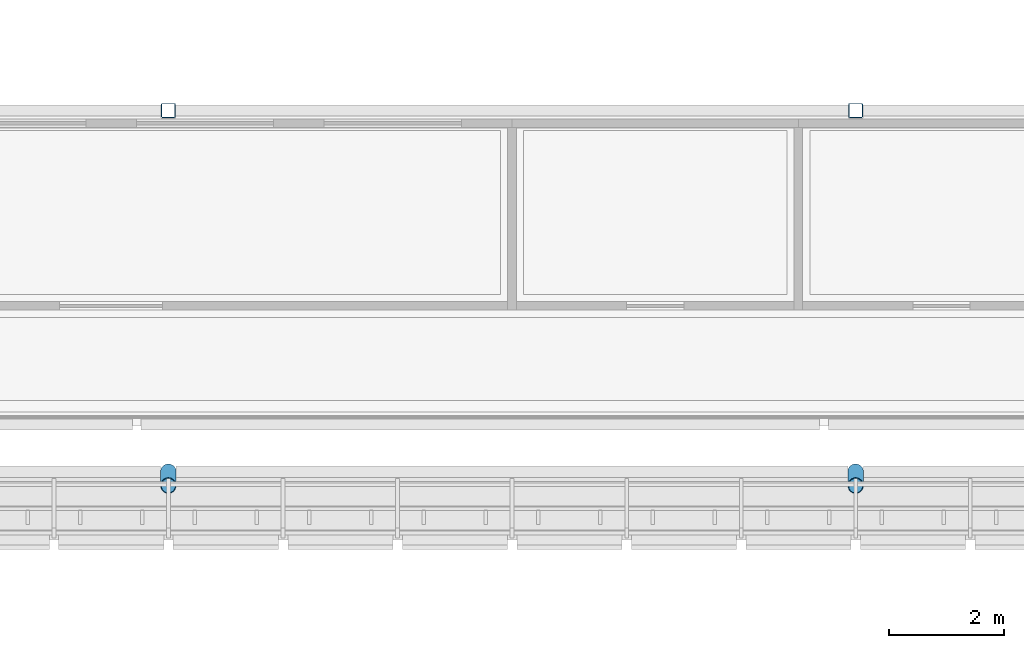
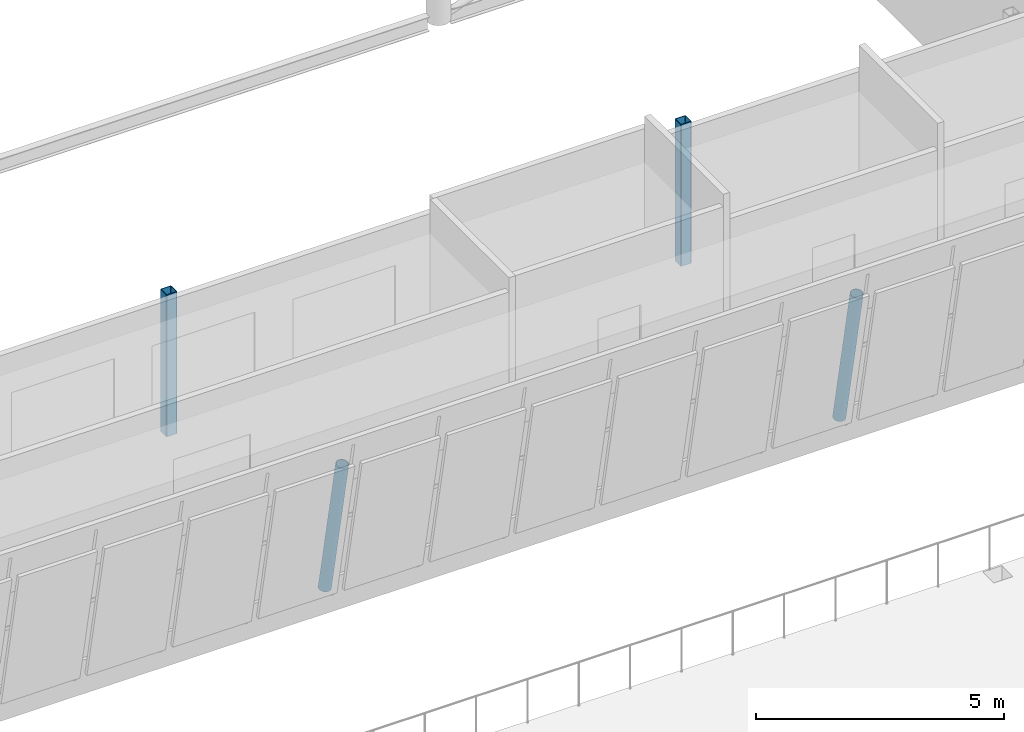
# One storey, part 3 of 95: 4 columns.
"""IFC4 building model written with IfcOpenShell, lengths in metres."""

from ifc_helpers import new_model, si_unit, direction, frame, origin, origin_2d, place, context, subcontext, project, spatial, hollow_rectangle, hollow_circle, extrude, material, material_profile, profile_set, type_object, element, save


model = new_model("IFC4")

# Units and contexts
model_context = context("Model", 3, precision=1e-05, world=origin(), true_north=direction((0.0, 1.0)))
body_context = subcontext(model_context, "Body", "Model", "MODEL_VIEW")
ifc_project = project(units=[si_unit("LENGTHUNIT", "METRE"), si_unit("AREAUNIT", "SQUARE_METRE"), si_unit("VOLUMEUNIT", "CUBIC_METRE"), si_unit("PLANEANGLEUNIT", "RADIAN"), si_unit("MASSUNIT", "GRAM", prefix="KILO")], contexts=[model_context])

# Site, building, storey
site_placement = place(None, origin())
site = spatial("IfcSite", under=ifc_project, at=site_placement, CompositionType="ELEMENT")
building_placement = place(site_placement, origin())
building = spatial("IfcBuilding", under=site, at=building_placement, Name="Windward Yard Aquatics Centre", CompositionType="ELEMENT")
storey_placement = place(building_placement, frame((0.0, 0.0, 9.39990234375)))
storey = spatial("IfcBuildingStorey", under=building, at=storey_placement, Name="L02", CompositionType="ELEMENT", Elevation=9.39990234375)

# Columns
ifc_material = material(Name="Steel ASTM A500 Gr C", Category="steel")
ifc_material_profile_1 = material_profile(ifc_material, hollow_rectangle(XDim=0.25390625, YDim=0.25390625, WallThickness=0.015869140625, InnerFilletRadius=0.008056640625, OuterFilletRadius=0.02392578125, at=origin_2d()), Name="HSS254X254X15.9")
ifc_profile_set_1 = profile_set([ifc_material_profile_1], Name="Steel ASTM A500 Gr C")
column_type_1 = type_object("IfcColumnType", Name="H inner column HSS254X254X15.9", PredefinedType="COLUMN", material=ifc_profile_set_1)
for number, where, z_axis, x_axis, name in (
    (1, (120.0, 31.709716796875, 0.0), (0.0, 0.0, 1.0), (1.0, 0.0, 0.0), "H.IC.S6.L02"),
    (2, (132.0, 31.709716796875, 0.0), (0.0, 0.0, 1.0), (1.0, 0.0, 0.0), "H.IC.S7.L02"),
):
    element("IfcColumn", number, at=place(storey_placement, frame(where, z_axis=z_axis, x_axis=x_axis)), inside=storey, type_object=column_type_1, Name=name, PredefinedType="COLUMN", context=body_context, shape_type="SweptSolid", body=[
        extrude(hollow_rectangle(XDim=0.25390625, YDim=0.25390625, WallThickness=0.015869140625, InnerFilletRadius=0.008056640625, OuterFilletRadius=0.02392578125, at=origin_2d()), origin(), (0.0, 0.0, 1.0), 3.49609375),
    ])
ifc_material_profile_2 = material_profile(ifc_material, hollow_circle(Radius=0.136474609375, WallThickness=0.0126953125, at=origin_2d()), Name="HSS273.1X12.7")
ifc_profile_set_2 = profile_set([ifc_material_profile_2], Name="Steel ASTM A500 Gr C")
column_type_2 = type_object("IfcColumnType", Name="H tier 1 leg HSS273.1X12.7", PredefinedType="COLUMN", material=ifc_profile_set_2)
for number, where, z_axis, x_axis, name in (
    (3, (120.0, 25.40478515625, 0.0), (0.0, -0.19937762145, 0.979922733722), (1.0, 0.0, 0.0), "H.TL.S6.T1B.L02"),
    (4, (132.0, 25.40478515625, 0.0), (0.0, -0.19937762145, 0.979922733722), (1.0, 0.0, 0.0), "H.TL.S7.T1B.L02"),
):
    element("IfcColumn", number, at=place(storey_placement, frame(where, z_axis=z_axis, x_axis=x_axis)), inside=storey, type_object=column_type_2, Name=name, PredefinedType="COLUMN", context=body_context, shape_type="SweptSolid", body=[
        extrude(hollow_circle(Radius=0.136474609375, WallThickness=0.0126953125, at=origin_2d()), origin(), (0.0, 0.0, 1.0), 3.5400390625),
    ])

save(model, "model.ifc")
